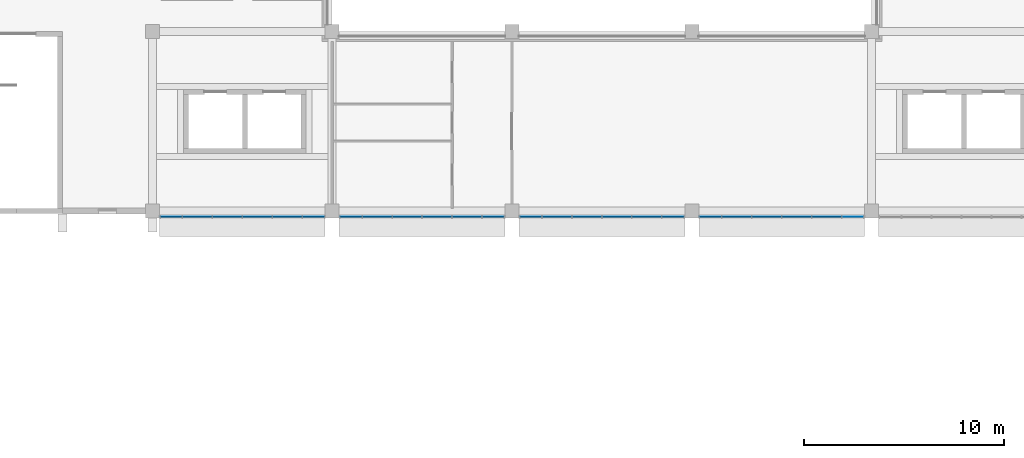
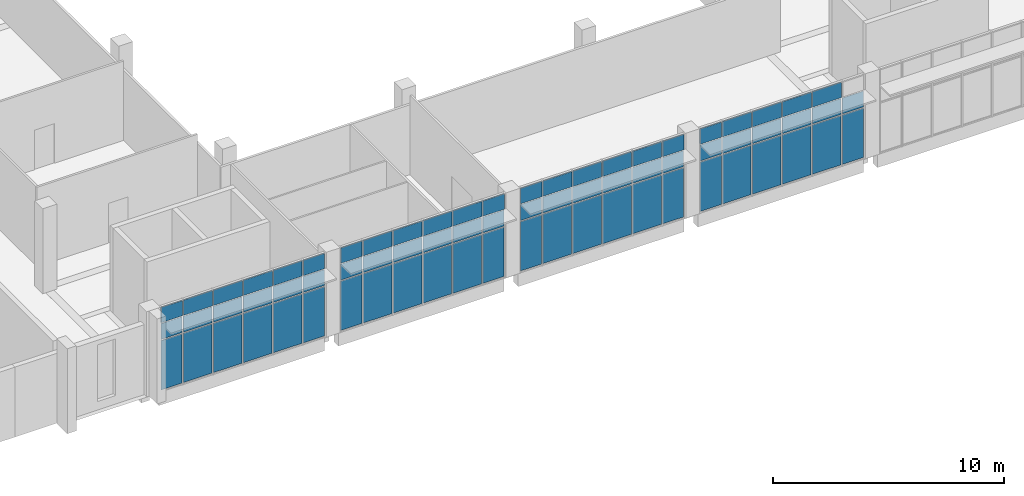
# One storey, part 15 of 40: 71 plates, 4 elements without a shape of their own.
"""IFC4 building model written with IfcOpenShell, lengths in metres."""

from ifc_helpers import new_model, si_unit, direction, frame, origin, origin_2d, place, context, subcontext, project, spatial, rectangle, extrude, material, layer, layer_set, type_object, element, aggregate, save


model = new_model("IFC4")

# Units and contexts
model_context = context("Model", 3, precision=1e-05, world=origin(), true_north=direction((0.0, 1.0)))
body_context = subcontext(model_context, "Body", "Model", "MODEL_VIEW")
ifc_project = project(units=[si_unit("LENGTHUNIT", "METRE"), si_unit("AREAUNIT", "SQUARE_METRE"), si_unit("VOLUMEUNIT", "CUBIC_METRE"), si_unit("PLANEANGLEUNIT", "RADIAN"), si_unit("MASSUNIT", "GRAM", prefix="KILO")], contexts=[model_context])

# Site, building, storey
site_placement = place(None, origin())
site = spatial("IfcSite", under=ifc_project, at=site_placement, CompositionType="ELEMENT")
building_placement = place(site_placement, origin())
building = spatial("IfcBuilding", under=site, at=building_placement, Name="Guidao Yard Department Store", CompositionType="ELEMENT")
storey_placement = place(building_placement, frame((0.0, 0.0, 24.0)))
storey = spatial("IfcBuildingStorey", under=building, at=storey_placement, Name="L05", CompositionType="ELEMENT", Elevation=24.0)

# Curtain wall, plates
ifc_material_1 = material(Name="Aluminium and glass", Category="aluminium")
ifc_layer_1 = layer(ifc_material_1, 0.159912109375)
ifc_layer_set_1 = layer_set([ifc_layer_1], Name="Hall front curtain wall CW2 1500 module")
curtain_wall_type = type_object("IfcCurtainWallType", Name="Hall front curtain wall CW2 1500 module", PredefinedType="NOTDEFINED", material=ifc_layer_set_1)
curtain_wall_1_placement = place(storey_placement, origin())
curtain_wall_1 = element("IfcCurtainWall", 1, at=curtain_wall_1_placement, inside=storey, type_object=curtain_wall_type, Name="Hall front curtain wall", PredefinedType="NOTDEFINED")
ifc_material_2 = material(Name="Aluminium 6063-T5 faced insulated spandrel", Category="aluminium")
ifc_layer_2 = layer(ifc_material_2, 0.06005859375)
ifc_layer_set_2 = layer_set([ifc_layer_2], Name="Spandrel panel SP1 insulated opaque")
plate_type_1 = type_object("IfcPlateType", Name="Spandrel panel SP1 insulated opaque", PredefinedType="CURTAIN_PANEL", material=ifc_layer_set_2)
plate_1_placement = place(storey_placement, frame((9.93994140625, 44.719970703125, 3.6298828125), z_axis=(0.0, 0.0, 1.0), x_axis=(-1.0, 0.0, 0.0)))
plate_1 = element("IfcPlate", 2, at=plate_1_placement, type_object=plate_type_1, Name="CW-HF-L05-01 panel 1.3", PredefinedType="CURTAIN_PANEL", context=body_context, shape_type="SweptSolid", body=[
    extrude(rectangle(XDim=1.06005859375, YDim=0.06005859375, at=origin_2d()), origin(), (0.0, 0.0, 1.0), 0.81005859375),
])
plate_2_placement = place(storey_placement, frame((11.25, 44.719970703125, 3.6298828125), z_axis=(0.0, 0.0, 1.0), x_axis=(-1.0, 0.0, 0.0)))
plate_2 = element("IfcPlate", 3, at=plate_2_placement, type_object=plate_type_1, Name="CW-HF-L05-01 panel 2.3", PredefinedType="CURTAIN_PANEL", context=body_context, shape_type="SweptSolid", body=[
    extrude(rectangle(XDim=1.43994140625, YDim=0.06005859375, at=origin_2d()), origin(), (0.0, 0.0, 1.0), 0.81005859375),
])
plate_3_placement = place(storey_placement, frame((12.75, 44.719970703125, 3.6298828125), z_axis=(0.0, 0.0, 1.0), x_axis=(-1.0, 0.0, 0.0)))
plate_3 = element("IfcPlate", 4, at=plate_3_placement, type_object=plate_type_1, Name="CW-HF-L05-01 panel 3.3", PredefinedType="CURTAIN_PANEL", context=body_context, shape_type="SweptSolid", body=[
    extrude(rectangle(XDim=1.43994140625, YDim=0.06005859375, at=origin_2d()), origin(), (0.0, 0.0, 1.0), 0.81005859375),
])
plate_4_placement = place(storey_placement, frame((14.25, 44.719970703125, 3.6298828125), z_axis=(0.0, 0.0, 1.0), x_axis=(-1.0, 0.0, 0.0)))
plate_4 = element("IfcPlate", 5, at=plate_4_placement, type_object=plate_type_1, Name="CW-HF-L05-01 panel 4.3", PredefinedType="CURTAIN_PANEL", context=body_context, shape_type="SweptSolid", body=[
    extrude(rectangle(XDim=1.43994140625, YDim=0.06005859375, at=origin_2d()), origin(), (0.0, 0.0, 1.0), 0.81005859375),
])
plate_5_placement = place(storey_placement, frame((15.75, 44.719970703125, 3.6298828125), z_axis=(0.0, 0.0, 1.0), x_axis=(-1.0, 0.0, 0.0)))
plate_5 = element("IfcPlate", 6, at=plate_5_placement, type_object=plate_type_1, Name="CW-HF-L05-01 panel 5.3", PredefinedType="CURTAIN_PANEL", context=body_context, shape_type="SweptSolid", body=[
    extrude(rectangle(XDim=1.43994140625, YDim=0.06005859375, at=origin_2d()), origin(), (0.0, 0.0, 1.0), 0.81005859375),
])
plate_6_placement = place(storey_placement, frame((17.06005859375, 44.719970703125, 3.6298828125), z_axis=(0.0, 0.0, 1.0), x_axis=(-1.0, 0.0, 0.0)))
plate_6 = element("IfcPlate", 7, at=plate_6_placement, type_object=plate_type_1, Name="CW-HF-L05-01 panel 6.3", PredefinedType="CURTAIN_PANEL", context=body_context, shape_type="SweptSolid", body=[
    extrude(rectangle(XDim=1.06005859375, YDim=0.06005859375, at=origin_2d()), origin(), (0.0, 0.0, 1.0), 0.81005859375),
])

curtain_wall_2_placement = place(storey_placement, origin())
curtain_wall_2 = element("IfcCurtainWall", 8, at=curtain_wall_2_placement, inside=storey, type_object=curtain_wall_type, Name="Hall front curtain wall", PredefinedType="NOTDEFINED")
plate_7_placement = place(storey_placement, frame((18.93994140625, 44.719970703125, 3.6298828125), z_axis=(0.0, 0.0, 1.0), x_axis=(-1.0, 0.0, 0.0)))
plate_7 = element("IfcPlate", 9, at=plate_7_placement, type_object=plate_type_1, Name="CW-HF-L05-02 panel 1.3", PredefinedType="CURTAIN_PANEL", context=body_context, shape_type="SweptSolid", body=[
    extrude(rectangle(XDim=1.06005859375, YDim=0.06005859375, at=origin_2d()), origin(), (0.0, 0.0, 1.0), 0.81005859375),
])
plate_8_placement = place(storey_placement, frame((20.25, 44.719970703125, 3.6298828125), z_axis=(0.0, 0.0, 1.0), x_axis=(-1.0, 0.0, 0.0)))
plate_8 = element("IfcPlate", 10, at=plate_8_placement, type_object=plate_type_1, Name="CW-HF-L05-02 panel 2.3", PredefinedType="CURTAIN_PANEL", context=body_context, shape_type="SweptSolid", body=[
    extrude(rectangle(XDim=1.43994140625, YDim=0.06005859375, at=origin_2d()), origin(), (0.0, 0.0, 1.0), 0.81005859375),
])
plate_9_placement = place(storey_placement, frame((21.75, 44.719970703125, 3.6298828125), z_axis=(0.0, 0.0, 1.0), x_axis=(-1.0, 0.0, 0.0)))
plate_9 = element("IfcPlate", 11, at=plate_9_placement, type_object=plate_type_1, Name="CW-HF-L05-02 panel 3.3", PredefinedType="CURTAIN_PANEL", context=body_context, shape_type="SweptSolid", body=[
    extrude(rectangle(XDim=1.43994140625, YDim=0.06005859375, at=origin_2d()), origin(), (0.0, 0.0, 1.0), 0.81005859375),
])
plate_10_placement = place(storey_placement, frame((23.25, 44.719970703125, 3.6298828125), z_axis=(0.0, 0.0, 1.0), x_axis=(-1.0, 0.0, 0.0)))
plate_10 = element("IfcPlate", 12, at=plate_10_placement, type_object=plate_type_1, Name="CW-HF-L05-02 panel 4.3", PredefinedType="CURTAIN_PANEL", context=body_context, shape_type="SweptSolid", body=[
    extrude(rectangle(XDim=1.43994140625, YDim=0.06005859375, at=origin_2d()), origin(), (0.0, 0.0, 1.0), 0.81005859375),
])
plate_11_placement = place(storey_placement, frame((24.75, 44.719970703125, 3.6298828125), z_axis=(0.0, 0.0, 1.0), x_axis=(-1.0, 0.0, 0.0)))
plate_11 = element("IfcPlate", 13, at=plate_11_placement, type_object=plate_type_1, Name="CW-HF-L05-02 panel 5.3", PredefinedType="CURTAIN_PANEL", context=body_context, shape_type="SweptSolid", body=[
    extrude(rectangle(XDim=1.43994140625, YDim=0.06005859375, at=origin_2d()), origin(), (0.0, 0.0, 1.0), 0.81005859375),
])
plate_12_placement = place(storey_placement, frame((26.06005859375, 44.719970703125, 3.6298828125), z_axis=(0.0, 0.0, 1.0), x_axis=(-1.0, 0.0, 0.0)))
plate_12 = element("IfcPlate", 14, at=plate_12_placement, type_object=plate_type_1, Name="CW-HF-L05-02 panel 6.3", PredefinedType="CURTAIN_PANEL", context=body_context, shape_type="SweptSolid", body=[
    extrude(rectangle(XDim=1.06005859375, YDim=0.06005859375, at=origin_2d()), origin(), (0.0, 0.0, 1.0), 0.81005859375),
])

curtain_wall_3_placement = place(storey_placement, origin())
curtain_wall_3 = element("IfcCurtainWall", 15, at=curtain_wall_3_placement, inside=storey, type_object=curtain_wall_type, Name="Hall front curtain wall", PredefinedType="NOTDEFINED")
plate_13_placement = place(storey_placement, frame((27.93994140625, 44.719970703125, 3.6298828125), z_axis=(0.0, 0.0, 1.0), x_axis=(-1.0, 0.0, 0.0)))
plate_13 = element("IfcPlate", 16, at=plate_13_placement, type_object=plate_type_1, Name="CW-HF-L05-03 panel 1.3", PredefinedType="CURTAIN_PANEL", context=body_context, shape_type="SweptSolid", body=[
    extrude(rectangle(XDim=1.06005859375, YDim=0.06005859375, at=origin_2d()), origin(), (0.0, 0.0, 1.0), 0.81005859375),
])
plate_14_placement = place(storey_placement, frame((29.25, 44.719970703125, 3.6298828125), z_axis=(0.0, 0.0, 1.0), x_axis=(-1.0, 0.0, 0.0)))
plate_14 = element("IfcPlate", 17, at=plate_14_placement, type_object=plate_type_1, Name="CW-HF-L05-03 panel 2.3", PredefinedType="CURTAIN_PANEL", context=body_context, shape_type="SweptSolid", body=[
    extrude(rectangle(XDim=1.43994140625, YDim=0.06005859375, at=origin_2d()), origin(), (0.0, 0.0, 1.0), 0.81005859375),
])
plate_15_placement = place(storey_placement, frame((30.75, 44.719970703125, 3.6298828125), z_axis=(0.0, 0.0, 1.0), x_axis=(-1.0, 0.0, 0.0)))
plate_15 = element("IfcPlate", 18, at=plate_15_placement, type_object=plate_type_1, Name="CW-HF-L05-03 panel 3.3", PredefinedType="CURTAIN_PANEL", context=body_context, shape_type="SweptSolid", body=[
    extrude(rectangle(XDim=1.43994140625, YDim=0.06005859375, at=origin_2d()), origin(), (0.0, 0.0, 1.0), 0.81005859375),
])
plate_16_placement = place(storey_placement, frame((32.25, 44.719970703125, 3.6298828125), z_axis=(0.0, 0.0, 1.0), x_axis=(-1.0, 0.0, 0.0)))
plate_16 = element("IfcPlate", 19, at=plate_16_placement, type_object=plate_type_1, Name="CW-HF-L05-03 panel 4.3", PredefinedType="CURTAIN_PANEL", context=body_context, shape_type="SweptSolid", body=[
    extrude(rectangle(XDim=1.43994140625, YDim=0.06005859375, at=origin_2d()), origin(), (0.0, 0.0, 1.0), 0.81005859375),
])
plate_17_placement = place(storey_placement, frame((33.75, 44.719970703125, 3.6298828125), z_axis=(0.0, 0.0, 1.0), x_axis=(-1.0, 0.0, 0.0)))
plate_17 = element("IfcPlate", 20, at=plate_17_placement, type_object=plate_type_1, Name="CW-HF-L05-03 panel 5.3", PredefinedType="CURTAIN_PANEL", context=body_context, shape_type="SweptSolid", body=[
    extrude(rectangle(XDim=1.43994140625, YDim=0.06005859375, at=origin_2d()), origin(), (0.0, 0.0, 1.0), 0.81005859375),
])
plate_18_placement = place(storey_placement, frame((35.06005859375, 44.719970703125, 3.6298828125), z_axis=(0.0, 0.0, 1.0), x_axis=(-1.0, 0.0, 0.0)))
plate_18 = element("IfcPlate", 21, at=plate_18_placement, type_object=plate_type_1, Name="CW-HF-L05-03 panel 6.3", PredefinedType="CURTAIN_PANEL", context=body_context, shape_type="SweptSolid", body=[
    extrude(rectangle(XDim=1.06005859375, YDim=0.06005859375, at=origin_2d()), origin(), (0.0, 0.0, 1.0), 0.81005859375),
])

curtain_wall_4_placement = place(storey_placement, origin())
curtain_wall_4 = element("IfcCurtainWall", 22, at=curtain_wall_4_placement, inside=storey, type_object=curtain_wall_type, Name="Hall front curtain wall", PredefinedType="NOTDEFINED")
plate_19_placement = place(storey_placement, frame((36.93994140625, 44.719970703125, 3.6298828125), z_axis=(0.0, 0.0, 1.0), x_axis=(-1.0, 0.0, 0.0)))
plate_19 = element("IfcPlate", 23, at=plate_19_placement, type_object=plate_type_1, Name="CW-HF-L05-04 panel 1.3", PredefinedType="CURTAIN_PANEL", context=body_context, shape_type="SweptSolid", body=[
    extrude(rectangle(XDim=1.06005859375, YDim=0.06005859375, at=origin_2d()), origin(), (0.0, 0.0, 1.0), 0.81005859375),
])
plate_20_placement = place(storey_placement, frame((38.25, 44.719970703125, 3.6298828125), z_axis=(0.0, 0.0, 1.0), x_axis=(-1.0, 0.0, 0.0)))
plate_20 = element("IfcPlate", 24, at=plate_20_placement, type_object=plate_type_1, Name="CW-HF-L05-04 panel 2.3", PredefinedType="CURTAIN_PANEL", context=body_context, shape_type="SweptSolid", body=[
    extrude(rectangle(XDim=1.43994140625, YDim=0.06005859375, at=origin_2d()), origin(), (0.0, 0.0, 1.0), 0.81005859375),
])
plate_21_placement = place(storey_placement, frame((39.75, 44.719970703125, 3.6298828125), z_axis=(0.0, 0.0, 1.0), x_axis=(-1.0, 0.0, 0.0)))
plate_21 = element("IfcPlate", 25, at=plate_21_placement, type_object=plate_type_1, Name="CW-HF-L05-04 panel 3.3", PredefinedType="CURTAIN_PANEL", context=body_context, shape_type="SweptSolid", body=[
    extrude(rectangle(XDim=1.43994140625, YDim=0.06005859375, at=origin_2d()), origin(), (0.0, 0.0, 1.0), 0.81005859375),
])
plate_22_placement = place(storey_placement, frame((41.25, 44.719970703125, 3.6298828125), z_axis=(0.0, 0.0, 1.0), x_axis=(-1.0, 0.0, 0.0)))
plate_22 = element("IfcPlate", 26, at=plate_22_placement, type_object=plate_type_1, Name="CW-HF-L05-04 panel 4.3", PredefinedType="CURTAIN_PANEL", context=body_context, shape_type="SweptSolid", body=[
    extrude(rectangle(XDim=1.43994140625, YDim=0.06005859375, at=origin_2d()), origin(), (0.0, 0.0, 1.0), 0.81005859375),
])
plate_23_placement = place(storey_placement, frame((42.75, 44.719970703125, 3.6298828125), z_axis=(0.0, 0.0, 1.0), x_axis=(-1.0, 0.0, 0.0)))
plate_23 = element("IfcPlate", 27, at=plate_23_placement, type_object=plate_type_1, Name="CW-HF-L05-04 panel 5.3", PredefinedType="CURTAIN_PANEL", context=body_context, shape_type="SweptSolid", body=[
    extrude(rectangle(XDim=1.43994140625, YDim=0.06005859375, at=origin_2d()), origin(), (0.0, 0.0, 1.0), 0.81005859375),
])

# Plate
ifc_material_3 = material(Name="Laminated heat-soaked tempered glass", Category="glass")
ifc_layer_3 = layer(ifc_material_3, 0.017578125)
ifc_layer_set_3 = layer_set([ifc_layer_3], Name="Vision glass VG1 laminated heat-soaked tempered 8+8")
plate_type_2 = type_object("IfcPlateType", Name="Vision glass VG1 laminated heat-soaked tempered 8+8", PredefinedType="CURTAIN_PANEL", material=ifc_layer_set_3)
plate_24_placement = place(storey_placement, frame((9.93994140625, 44.719970703125, 0.06005859375), z_axis=(0.0, 0.0, 1.0), x_axis=(-1.0, 0.0, 0.0)))
plate_24 = element("IfcPlate", 28, at=plate_24_placement, type_object=plate_type_2, Name="CW-HF-L05-01 panel 1.1", PredefinedType="CURTAIN_PANEL", context=body_context, shape_type="SweptSolid", body=[
    extrude(rectangle(XDim=1.06005859375, YDim=0.017578125, at=origin_2d()), origin(), (0.0, 0.0, 1.0), 2.610107421875),
])

plate_25_placement = place(storey_placement, frame((9.93994140625, 44.719970703125, 2.72998046875), z_axis=(0.0, 0.0, 1.0), x_axis=(-1.0, 0.0, 0.0)))
plate_25 = element("IfcPlate", 29, at=plate_25_placement, type_object=plate_type_2, Name="CW-HF-L05-01 panel 1.2", PredefinedType="CURTAIN_PANEL", context=body_context, shape_type="SweptSolid", body=[
    extrude(rectangle(XDim=1.06005859375, YDim=0.017578125, at=origin_2d()), origin(), (0.0, 0.0, 1.0), 0.840087890625),
])

plate_26_placement = place(storey_placement, frame((11.25, 44.719970703125, 0.06005859375), z_axis=(0.0, 0.0, 1.0), x_axis=(-1.0, 0.0, 0.0)))
plate_26 = element("IfcPlate", 30, at=plate_26_placement, type_object=plate_type_2, Name="CW-HF-L05-01 panel 2.1", PredefinedType="CURTAIN_PANEL", context=body_context, shape_type="SweptSolid", body=[
    extrude(rectangle(XDim=1.43994140625, YDim=0.017578125, at=origin_2d()), origin(), (0.0, 0.0, 1.0), 2.610107421875),
])

plate_27_placement = place(storey_placement, frame((11.25, 44.719970703125, 2.72998046875), z_axis=(0.0, 0.0, 1.0), x_axis=(-1.0, 0.0, 0.0)))
plate_27 = element("IfcPlate", 31, at=plate_27_placement, type_object=plate_type_2, Name="CW-HF-L05-01 panel 2.2", PredefinedType="CURTAIN_PANEL", context=body_context, shape_type="SweptSolid", body=[
    extrude(rectangle(XDim=1.43994140625, YDim=0.017578125, at=origin_2d()), origin(), (0.0, 0.0, 1.0), 0.840087890625),
])

plate_28_placement = place(storey_placement, frame((12.75, 44.719970703125, 0.06005859375), z_axis=(0.0, 0.0, 1.0), x_axis=(-1.0, 0.0, 0.0)))
plate_28 = element("IfcPlate", 32, at=plate_28_placement, type_object=plate_type_2, Name="CW-HF-L05-01 panel 3.1", PredefinedType="CURTAIN_PANEL", context=body_context, shape_type="SweptSolid", body=[
    extrude(rectangle(XDim=1.43994140625, YDim=0.017578125, at=origin_2d()), origin(), (0.0, 0.0, 1.0), 2.610107421875),
])

plate_29_placement = place(storey_placement, frame((12.75, 44.719970703125, 2.72998046875), z_axis=(0.0, 0.0, 1.0), x_axis=(-1.0, 0.0, 0.0)))
plate_29 = element("IfcPlate", 33, at=plate_29_placement, type_object=plate_type_2, Name="CW-HF-L05-01 panel 3.2", PredefinedType="CURTAIN_PANEL", context=body_context, shape_type="SweptSolid", body=[
    extrude(rectangle(XDim=1.43994140625, YDim=0.017578125, at=origin_2d()), origin(), (0.0, 0.0, 1.0), 0.840087890625),
])

plate_30_placement = place(storey_placement, frame((14.25, 44.719970703125, 0.06005859375), z_axis=(0.0, 0.0, 1.0), x_axis=(-1.0, 0.0, 0.0)))
plate_30 = element("IfcPlate", 34, at=plate_30_placement, type_object=plate_type_2, Name="CW-HF-L05-01 panel 4.1", PredefinedType="CURTAIN_PANEL", context=body_context, shape_type="SweptSolid", body=[
    extrude(rectangle(XDim=1.43994140625, YDim=0.017578125, at=origin_2d()), origin(), (0.0, 0.0, 1.0), 2.610107421875),
])

plate_31_placement = place(storey_placement, frame((14.25, 44.719970703125, 2.72998046875), z_axis=(0.0, 0.0, 1.0), x_axis=(-1.0, 0.0, 0.0)))
plate_31 = element("IfcPlate", 35, at=plate_31_placement, type_object=plate_type_2, Name="CW-HF-L05-01 panel 4.2", PredefinedType="CURTAIN_PANEL", context=body_context, shape_type="SweptSolid", body=[
    extrude(rectangle(XDim=1.43994140625, YDim=0.017578125, at=origin_2d()), origin(), (0.0, 0.0, 1.0), 0.840087890625),
])

plate_32_placement = place(storey_placement, frame((15.75, 44.719970703125, 0.06005859375), z_axis=(0.0, 0.0, 1.0), x_axis=(-1.0, 0.0, 0.0)))
plate_32 = element("IfcPlate", 36, at=plate_32_placement, type_object=plate_type_2, Name="CW-HF-L05-01 panel 5.1", PredefinedType="CURTAIN_PANEL", context=body_context, shape_type="SweptSolid", body=[
    extrude(rectangle(XDim=1.43994140625, YDim=0.017578125, at=origin_2d()), origin(), (0.0, 0.0, 1.0), 2.610107421875),
])

plate_33_placement = place(storey_placement, frame((15.75, 44.719970703125, 2.72998046875), z_axis=(0.0, 0.0, 1.0), x_axis=(-1.0, 0.0, 0.0)))
plate_33 = element("IfcPlate", 37, at=plate_33_placement, type_object=plate_type_2, Name="CW-HF-L05-01 panel 5.2", PredefinedType="CURTAIN_PANEL", context=body_context, shape_type="SweptSolid", body=[
    extrude(rectangle(XDim=1.43994140625, YDim=0.017578125, at=origin_2d()), origin(), (0.0, 0.0, 1.0), 0.840087890625),
])

plate_34_placement = place(storey_placement, frame((17.06005859375, 44.719970703125, 0.06005859375), z_axis=(0.0, 0.0, 1.0), x_axis=(-1.0, 0.0, 0.0)))
plate_34 = element("IfcPlate", 38, at=plate_34_placement, type_object=plate_type_2, Name="CW-HF-L05-01 panel 6.1", PredefinedType="CURTAIN_PANEL", context=body_context, shape_type="SweptSolid", body=[
    extrude(rectangle(XDim=1.06005859375, YDim=0.017578125, at=origin_2d()), origin(), (0.0, 0.0, 1.0), 2.610107421875),
])

plate_35_placement = place(storey_placement, frame((17.06005859375, 44.719970703125, 2.72998046875), z_axis=(0.0, 0.0, 1.0), x_axis=(-1.0, 0.0, 0.0)))
plate_35 = element("IfcPlate", 39, at=plate_35_placement, type_object=plate_type_2, Name="CW-HF-L05-01 panel 6.2", PredefinedType="CURTAIN_PANEL", context=body_context, shape_type="SweptSolid", body=[
    extrude(rectangle(XDim=1.06005859375, YDim=0.017578125, at=origin_2d()), origin(), (0.0, 0.0, 1.0), 0.840087890625),
])

aggregate(curtain_wall_1, [plate_24, plate_25, plate_1, plate_26, plate_27, plate_2, plate_28, plate_29, plate_3, plate_30, plate_31, plate_4, plate_32, plate_33, plate_5, plate_34, plate_35, plate_6])

plate_36_placement = place(storey_placement, frame((18.93994140625, 44.719970703125, 0.06005859375), z_axis=(0.0, 0.0, 1.0), x_axis=(-1.0, 0.0, 0.0)))
plate_36 = element("IfcPlate", 40, at=plate_36_placement, type_object=plate_type_2, Name="CW-HF-L05-02 panel 1.1", PredefinedType="CURTAIN_PANEL", context=body_context, shape_type="SweptSolid", body=[
    extrude(rectangle(XDim=1.06005859375, YDim=0.017578125, at=origin_2d()), origin(), (0.0, 0.0, 1.0), 2.610107421875),
])

plate_37_placement = place(storey_placement, frame((18.93994140625, 44.719970703125, 2.72998046875), z_axis=(0.0, 0.0, 1.0), x_axis=(-1.0, 0.0, 0.0)))
plate_37 = element("IfcPlate", 41, at=plate_37_placement, type_object=plate_type_2, Name="CW-HF-L05-02 panel 1.2", PredefinedType="CURTAIN_PANEL", context=body_context, shape_type="SweptSolid", body=[
    extrude(rectangle(XDim=1.06005859375, YDim=0.017578125, at=origin_2d()), origin(), (0.0, 0.0, 1.0), 0.840087890625),
])

plate_38_placement = place(storey_placement, frame((20.25, 44.719970703125, 0.06005859375), z_axis=(0.0, 0.0, 1.0), x_axis=(-1.0, 0.0, 0.0)))
plate_38 = element("IfcPlate", 42, at=plate_38_placement, type_object=plate_type_2, Name="CW-HF-L05-02 panel 2.1", PredefinedType="CURTAIN_PANEL", context=body_context, shape_type="SweptSolid", body=[
    extrude(rectangle(XDim=1.43994140625, YDim=0.017578125, at=origin_2d()), origin(), (0.0, 0.0, 1.0), 2.610107421875),
])

plate_39_placement = place(storey_placement, frame((20.25, 44.719970703125, 2.72998046875), z_axis=(0.0, 0.0, 1.0), x_axis=(-1.0, 0.0, 0.0)))
plate_39 = element("IfcPlate", 43, at=plate_39_placement, type_object=plate_type_2, Name="CW-HF-L05-02 panel 2.2", PredefinedType="CURTAIN_PANEL", context=body_context, shape_type="SweptSolid", body=[
    extrude(rectangle(XDim=1.43994140625, YDim=0.017578125, at=origin_2d()), origin(), (0.0, 0.0, 1.0), 0.840087890625),
])

plate_40_placement = place(storey_placement, frame((21.75, 44.719970703125, 0.06005859375), z_axis=(0.0, 0.0, 1.0), x_axis=(-1.0, 0.0, 0.0)))
plate_40 = element("IfcPlate", 44, at=plate_40_placement, type_object=plate_type_2, Name="CW-HF-L05-02 panel 3.1", PredefinedType="CURTAIN_PANEL", context=body_context, shape_type="SweptSolid", body=[
    extrude(rectangle(XDim=1.43994140625, YDim=0.017578125, at=origin_2d()), origin(), (0.0, 0.0, 1.0), 2.610107421875),
])

plate_41_placement = place(storey_placement, frame((21.75, 44.719970703125, 2.72998046875), z_axis=(0.0, 0.0, 1.0), x_axis=(-1.0, 0.0, 0.0)))
plate_41 = element("IfcPlate", 45, at=plate_41_placement, type_object=plate_type_2, Name="CW-HF-L05-02 panel 3.2", PredefinedType="CURTAIN_PANEL", context=body_context, shape_type="SweptSolid", body=[
    extrude(rectangle(XDim=1.43994140625, YDim=0.017578125, at=origin_2d()), origin(), (0.0, 0.0, 1.0), 0.840087890625),
])

plate_42_placement = place(storey_placement, frame((23.25, 44.719970703125, 0.06005859375), z_axis=(0.0, 0.0, 1.0), x_axis=(-1.0, 0.0, 0.0)))
plate_42 = element("IfcPlate", 46, at=plate_42_placement, type_object=plate_type_2, Name="CW-HF-L05-02 panel 4.1", PredefinedType="CURTAIN_PANEL", context=body_context, shape_type="SweptSolid", body=[
    extrude(rectangle(XDim=1.43994140625, YDim=0.017578125, at=origin_2d()), origin(), (0.0, 0.0, 1.0), 2.610107421875),
])

plate_43_placement = place(storey_placement, frame((23.25, 44.719970703125, 2.72998046875), z_axis=(0.0, 0.0, 1.0), x_axis=(-1.0, 0.0, 0.0)))
plate_43 = element("IfcPlate", 47, at=plate_43_placement, type_object=plate_type_2, Name="CW-HF-L05-02 panel 4.2", PredefinedType="CURTAIN_PANEL", context=body_context, shape_type="SweptSolid", body=[
    extrude(rectangle(XDim=1.43994140625, YDim=0.017578125, at=origin_2d()), origin(), (0.0, 0.0, 1.0), 0.840087890625),
])

plate_44_placement = place(storey_placement, frame((24.75, 44.719970703125, 0.06005859375), z_axis=(0.0, 0.0, 1.0), x_axis=(-1.0, 0.0, 0.0)))
plate_44 = element("IfcPlate", 48, at=plate_44_placement, type_object=plate_type_2, Name="CW-HF-L05-02 panel 5.1", PredefinedType="CURTAIN_PANEL", context=body_context, shape_type="SweptSolid", body=[
    extrude(rectangle(XDim=1.43994140625, YDim=0.017578125, at=origin_2d()), origin(), (0.0, 0.0, 1.0), 2.610107421875),
])

plate_45_placement = place(storey_placement, frame((24.75, 44.719970703125, 2.72998046875), z_axis=(0.0, 0.0, 1.0), x_axis=(-1.0, 0.0, 0.0)))
plate_45 = element("IfcPlate", 49, at=plate_45_placement, type_object=plate_type_2, Name="CW-HF-L05-02 panel 5.2", PredefinedType="CURTAIN_PANEL", context=body_context, shape_type="SweptSolid", body=[
    extrude(rectangle(XDim=1.43994140625, YDim=0.017578125, at=origin_2d()), origin(), (0.0, 0.0, 1.0), 0.840087890625),
])

plate_46_placement = place(storey_placement, frame((26.06005859375, 44.719970703125, 0.06005859375), z_axis=(0.0, 0.0, 1.0), x_axis=(-1.0, 0.0, 0.0)))
plate_46 = element("IfcPlate", 50, at=plate_46_placement, type_object=plate_type_2, Name="CW-HF-L05-02 panel 6.1", PredefinedType="CURTAIN_PANEL", context=body_context, shape_type="SweptSolid", body=[
    extrude(rectangle(XDim=1.06005859375, YDim=0.017578125, at=origin_2d()), origin(), (0.0, 0.0, 1.0), 2.610107421875),
])

plate_47_placement = place(storey_placement, frame((26.06005859375, 44.719970703125, 2.72998046875), z_axis=(0.0, 0.0, 1.0), x_axis=(-1.0, 0.0, 0.0)))
plate_47 = element("IfcPlate", 51, at=plate_47_placement, type_object=plate_type_2, Name="CW-HF-L05-02 panel 6.2", PredefinedType="CURTAIN_PANEL", context=body_context, shape_type="SweptSolid", body=[
    extrude(rectangle(XDim=1.06005859375, YDim=0.017578125, at=origin_2d()), origin(), (0.0, 0.0, 1.0), 0.840087890625),
])

aggregate(curtain_wall_2, [plate_36, plate_37, plate_7, plate_38, plate_39, plate_8, plate_40, plate_41, plate_9, plate_42, plate_43, plate_10, plate_44, plate_45, plate_11, plate_46, plate_47, plate_12])

plate_48_placement = place(storey_placement, frame((27.93994140625, 44.719970703125, 0.06005859375), z_axis=(0.0, 0.0, 1.0), x_axis=(-1.0, 0.0, 0.0)))
plate_48 = element("IfcPlate", 52, at=plate_48_placement, type_object=plate_type_2, Name="CW-HF-L05-03 panel 1.1", PredefinedType="CURTAIN_PANEL", context=body_context, shape_type="SweptSolid", body=[
    extrude(rectangle(XDim=1.06005859375, YDim=0.017578125, at=origin_2d()), origin(), (0.0, 0.0, 1.0), 2.610107421875),
])

plate_49_placement = place(storey_placement, frame((27.93994140625, 44.719970703125, 2.72998046875), z_axis=(0.0, 0.0, 1.0), x_axis=(-1.0, 0.0, 0.0)))
plate_49 = element("IfcPlate", 53, at=plate_49_placement, type_object=plate_type_2, Name="CW-HF-L05-03 panel 1.2", PredefinedType="CURTAIN_PANEL", context=body_context, shape_type="SweptSolid", body=[
    extrude(rectangle(XDim=1.06005859375, YDim=0.017578125, at=origin_2d()), origin(), (0.0, 0.0, 1.0), 0.840087890625),
])

plate_50_placement = place(storey_placement, frame((29.25, 44.719970703125, 0.06005859375), z_axis=(0.0, 0.0, 1.0), x_axis=(-1.0, 0.0, 0.0)))
plate_50 = element("IfcPlate", 54, at=plate_50_placement, type_object=plate_type_2, Name="CW-HF-L05-03 panel 2.1", PredefinedType="CURTAIN_PANEL", context=body_context, shape_type="SweptSolid", body=[
    extrude(rectangle(XDim=1.43994140625, YDim=0.017578125, at=origin_2d()), origin(), (0.0, 0.0, 1.0), 2.610107421875),
])

plate_51_placement = place(storey_placement, frame((29.25, 44.719970703125, 2.72998046875), z_axis=(0.0, 0.0, 1.0), x_axis=(-1.0, 0.0, 0.0)))
plate_51 = element("IfcPlate", 55, at=plate_51_placement, type_object=plate_type_2, Name="CW-HF-L05-03 panel 2.2", PredefinedType="CURTAIN_PANEL", context=body_context, shape_type="SweptSolid", body=[
    extrude(rectangle(XDim=1.43994140625, YDim=0.017578125, at=origin_2d()), origin(), (0.0, 0.0, 1.0), 0.840087890625),
])

plate_52_placement = place(storey_placement, frame((30.75, 44.719970703125, 0.06005859375), z_axis=(0.0, 0.0, 1.0), x_axis=(-1.0, 0.0, 0.0)))
plate_52 = element("IfcPlate", 56, at=plate_52_placement, type_object=plate_type_2, Name="CW-HF-L05-03 panel 3.1", PredefinedType="CURTAIN_PANEL", context=body_context, shape_type="SweptSolid", body=[
    extrude(rectangle(XDim=1.43994140625, YDim=0.017578125, at=origin_2d()), origin(), (0.0, 0.0, 1.0), 2.610107421875),
])

plate_53_placement = place(storey_placement, frame((30.75, 44.719970703125, 2.72998046875), z_axis=(0.0, 0.0, 1.0), x_axis=(-1.0, 0.0, 0.0)))
plate_53 = element("IfcPlate", 57, at=plate_53_placement, type_object=plate_type_2, Name="CW-HF-L05-03 panel 3.2", PredefinedType="CURTAIN_PANEL", context=body_context, shape_type="SweptSolid", body=[
    extrude(rectangle(XDim=1.43994140625, YDim=0.017578125, at=origin_2d()), origin(), (0.0, 0.0, 1.0), 0.840087890625),
])

plate_54_placement = place(storey_placement, frame((32.25, 44.719970703125, 0.06005859375), z_axis=(0.0, 0.0, 1.0), x_axis=(-1.0, 0.0, 0.0)))
plate_54 = element("IfcPlate", 58, at=plate_54_placement, type_object=plate_type_2, Name="CW-HF-L05-03 panel 4.1", PredefinedType="CURTAIN_PANEL", context=body_context, shape_type="SweptSolid", body=[
    extrude(rectangle(XDim=1.43994140625, YDim=0.017578125, at=origin_2d()), origin(), (0.0, 0.0, 1.0), 2.610107421875),
])

plate_55_placement = place(storey_placement, frame((32.25, 44.719970703125, 2.72998046875), z_axis=(0.0, 0.0, 1.0), x_axis=(-1.0, 0.0, 0.0)))
plate_55 = element("IfcPlate", 59, at=plate_55_placement, type_object=plate_type_2, Name="CW-HF-L05-03 panel 4.2", PredefinedType="CURTAIN_PANEL", context=body_context, shape_type="SweptSolid", body=[
    extrude(rectangle(XDim=1.43994140625, YDim=0.017578125, at=origin_2d()), origin(), (0.0, 0.0, 1.0), 0.840087890625),
])

plate_56_placement = place(storey_placement, frame((33.75, 44.719970703125, 0.06005859375), z_axis=(0.0, 0.0, 1.0), x_axis=(-1.0, 0.0, 0.0)))
plate_56 = element("IfcPlate", 60, at=plate_56_placement, type_object=plate_type_2, Name="CW-HF-L05-03 panel 5.1", PredefinedType="CURTAIN_PANEL", context=body_context, shape_type="SweptSolid", body=[
    extrude(rectangle(XDim=1.43994140625, YDim=0.017578125, at=origin_2d()), origin(), (0.0, 0.0, 1.0), 2.610107421875),
])

plate_57_placement = place(storey_placement, frame((33.75, 44.719970703125, 2.72998046875), z_axis=(0.0, 0.0, 1.0), x_axis=(-1.0, 0.0, 0.0)))
plate_57 = element("IfcPlate", 61, at=plate_57_placement, type_object=plate_type_2, Name="CW-HF-L05-03 panel 5.2", PredefinedType="CURTAIN_PANEL", context=body_context, shape_type="SweptSolid", body=[
    extrude(rectangle(XDim=1.43994140625, YDim=0.017578125, at=origin_2d()), origin(), (0.0, 0.0, 1.0), 0.840087890625),
])

plate_58_placement = place(storey_placement, frame((35.06005859375, 44.719970703125, 0.06005859375), z_axis=(0.0, 0.0, 1.0), x_axis=(-1.0, 0.0, 0.0)))
plate_58 = element("IfcPlate", 62, at=plate_58_placement, type_object=plate_type_2, Name="CW-HF-L05-03 panel 6.1", PredefinedType="CURTAIN_PANEL", context=body_context, shape_type="SweptSolid", body=[
    extrude(rectangle(XDim=1.06005859375, YDim=0.017578125, at=origin_2d()), origin(), (0.0, 0.0, 1.0), 2.610107421875),
])

plate_59_placement = place(storey_placement, frame((35.06005859375, 44.719970703125, 2.72998046875), z_axis=(0.0, 0.0, 1.0), x_axis=(-1.0, 0.0, 0.0)))
plate_59 = element("IfcPlate", 63, at=plate_59_placement, type_object=plate_type_2, Name="CW-HF-L05-03 panel 6.2", PredefinedType="CURTAIN_PANEL", context=body_context, shape_type="SweptSolid", body=[
    extrude(rectangle(XDim=1.06005859375, YDim=0.017578125, at=origin_2d()), origin(), (0.0, 0.0, 1.0), 0.840087890625),
])

aggregate(curtain_wall_3, [plate_48, plate_49, plate_13, plate_50, plate_51, plate_14, plate_52, plate_53, plate_15, plate_54, plate_55, plate_16, plate_56, plate_57, plate_17, plate_58, plate_59, plate_18])

plate_60_placement = place(storey_placement, frame((36.93994140625, 44.719970703125, 0.06005859375), z_axis=(0.0, 0.0, 1.0), x_axis=(-1.0, 0.0, 0.0)))
plate_60 = element("IfcPlate", 64, at=plate_60_placement, type_object=plate_type_2, Name="CW-HF-L05-04 panel 1.1", PredefinedType="CURTAIN_PANEL", context=body_context, shape_type="SweptSolid", body=[
    extrude(rectangle(XDim=1.06005859375, YDim=0.017578125, at=origin_2d()), origin(), (0.0, 0.0, 1.0), 2.610107421875),
])

plate_61_placement = place(storey_placement, frame((36.93994140625, 44.719970703125, 2.72998046875), z_axis=(0.0, 0.0, 1.0), x_axis=(-1.0, 0.0, 0.0)))
plate_61 = element("IfcPlate", 65, at=plate_61_placement, type_object=plate_type_2, Name="CW-HF-L05-04 panel 1.2", PredefinedType="CURTAIN_PANEL", context=body_context, shape_type="SweptSolid", body=[
    extrude(rectangle(XDim=1.06005859375, YDim=0.017578125, at=origin_2d()), origin(), (0.0, 0.0, 1.0), 0.840087890625),
])

plate_62_placement = place(storey_placement, frame((38.25, 44.719970703125, 0.06005859375), z_axis=(0.0, 0.0, 1.0), x_axis=(-1.0, 0.0, 0.0)))
plate_62 = element("IfcPlate", 66, at=plate_62_placement, type_object=plate_type_2, Name="CW-HF-L05-04 panel 2.1", PredefinedType="CURTAIN_PANEL", context=body_context, shape_type="SweptSolid", body=[
    extrude(rectangle(XDim=1.43994140625, YDim=0.017578125, at=origin_2d()), origin(), (0.0, 0.0, 1.0), 2.610107421875),
])

plate_63_placement = place(storey_placement, frame((38.25, 44.719970703125, 2.72998046875), z_axis=(0.0, 0.0, 1.0), x_axis=(-1.0, 0.0, 0.0)))
plate_63 = element("IfcPlate", 67, at=plate_63_placement, type_object=plate_type_2, Name="CW-HF-L05-04 panel 2.2", PredefinedType="CURTAIN_PANEL", context=body_context, shape_type="SweptSolid", body=[
    extrude(rectangle(XDim=1.43994140625, YDim=0.017578125, at=origin_2d()), origin(), (0.0, 0.0, 1.0), 0.840087890625),
])

plate_64_placement = place(storey_placement, frame((39.75, 44.719970703125, 0.06005859375), z_axis=(0.0, 0.0, 1.0), x_axis=(-1.0, 0.0, 0.0)))
plate_64 = element("IfcPlate", 68, at=plate_64_placement, type_object=plate_type_2, Name="CW-HF-L05-04 panel 3.1", PredefinedType="CURTAIN_PANEL", context=body_context, shape_type="SweptSolid", body=[
    extrude(rectangle(XDim=1.43994140625, YDim=0.017578125, at=origin_2d()), origin(), (0.0, 0.0, 1.0), 2.610107421875),
])

plate_65_placement = place(storey_placement, frame((39.75, 44.719970703125, 2.72998046875), z_axis=(0.0, 0.0, 1.0), x_axis=(-1.0, 0.0, 0.0)))
plate_65 = element("IfcPlate", 69, at=plate_65_placement, type_object=plate_type_2, Name="CW-HF-L05-04 panel 3.2", PredefinedType="CURTAIN_PANEL", context=body_context, shape_type="SweptSolid", body=[
    extrude(rectangle(XDim=1.43994140625, YDim=0.017578125, at=origin_2d()), origin(), (0.0, 0.0, 1.0), 0.840087890625),
])

plate_66_placement = place(storey_placement, frame((41.25, 44.719970703125, 0.06005859375), z_axis=(0.0, 0.0, 1.0), x_axis=(-1.0, 0.0, 0.0)))
plate_66 = element("IfcPlate", 70, at=plate_66_placement, type_object=plate_type_2, Name="CW-HF-L05-04 panel 4.1", PredefinedType="CURTAIN_PANEL", context=body_context, shape_type="SweptSolid", body=[
    extrude(rectangle(XDim=1.43994140625, YDim=0.017578125, at=origin_2d()), origin(), (0.0, 0.0, 1.0), 2.610107421875),
])

plate_67_placement = place(storey_placement, frame((41.25, 44.719970703125, 2.72998046875), z_axis=(0.0, 0.0, 1.0), x_axis=(-1.0, 0.0, 0.0)))
plate_67 = element("IfcPlate", 71, at=plate_67_placement, type_object=plate_type_2, Name="CW-HF-L05-04 panel 4.2", PredefinedType="CURTAIN_PANEL", context=body_context, shape_type="SweptSolid", body=[
    extrude(rectangle(XDim=1.43994140625, YDim=0.017578125, at=origin_2d()), origin(), (0.0, 0.0, 1.0), 0.840087890625),
])

plate_68_placement = place(storey_placement, frame((42.75, 44.719970703125, 0.06005859375), z_axis=(0.0, 0.0, 1.0), x_axis=(-1.0, 0.0, 0.0)))
plate_68 = element("IfcPlate", 72, at=plate_68_placement, type_object=plate_type_2, Name="CW-HF-L05-04 panel 5.1", PredefinedType="CURTAIN_PANEL", context=body_context, shape_type="SweptSolid", body=[
    extrude(rectangle(XDim=1.43994140625, YDim=0.017578125, at=origin_2d()), origin(), (0.0, 0.0, 1.0), 2.610107421875),
])

plate_69_placement = place(storey_placement, frame((42.75, 44.719970703125, 2.72998046875), z_axis=(0.0, 0.0, 1.0), x_axis=(-1.0, 0.0, 0.0)))
plate_69 = element("IfcPlate", 73, at=plate_69_placement, type_object=plate_type_2, Name="CW-HF-L05-04 panel 5.2", PredefinedType="CURTAIN_PANEL", context=body_context, shape_type="SweptSolid", body=[
    extrude(rectangle(XDim=1.43994140625, YDim=0.017578125, at=origin_2d()), origin(), (0.0, 0.0, 1.0), 0.840087890625),
])

plate_70_placement = place(storey_placement, frame((44.06005859375, 44.719970703125, 0.06005859375), z_axis=(0.0, 0.0, 1.0), x_axis=(-1.0, 0.0, 0.0)))
plate_70 = element("IfcPlate", 74, at=plate_70_placement, type_object=plate_type_2, Name="CW-HF-L05-04 panel 6.1", PredefinedType="CURTAIN_PANEL", context=body_context, shape_type="SweptSolid", body=[
    extrude(rectangle(XDim=1.06005859375, YDim=0.017578125, at=origin_2d()), origin(), (0.0, 0.0, 1.0), 2.610107421875),
])

plate_71_placement = place(storey_placement, frame((44.06005859375, 44.719970703125, 2.72998046875), z_axis=(0.0, 0.0, 1.0), x_axis=(-1.0, 0.0, 0.0)))
plate_71 = element("IfcPlate", 75, at=plate_71_placement, type_object=plate_type_2, Name="CW-HF-L05-04 panel 6.2", PredefinedType="CURTAIN_PANEL", context=body_context, shape_type="SweptSolid", body=[
    extrude(rectangle(XDim=1.06005859375, YDim=0.017578125, at=origin_2d()), origin(), (0.0, 0.0, 1.0), 0.840087890625),
])

aggregate(curtain_wall_4, [plate_60, plate_61, plate_19, plate_62, plate_63, plate_20, plate_64, plate_65, plate_21, plate_66, plate_67, plate_22, plate_68, plate_69, plate_23, plate_70, plate_71])

save(model, "model.ifc")
